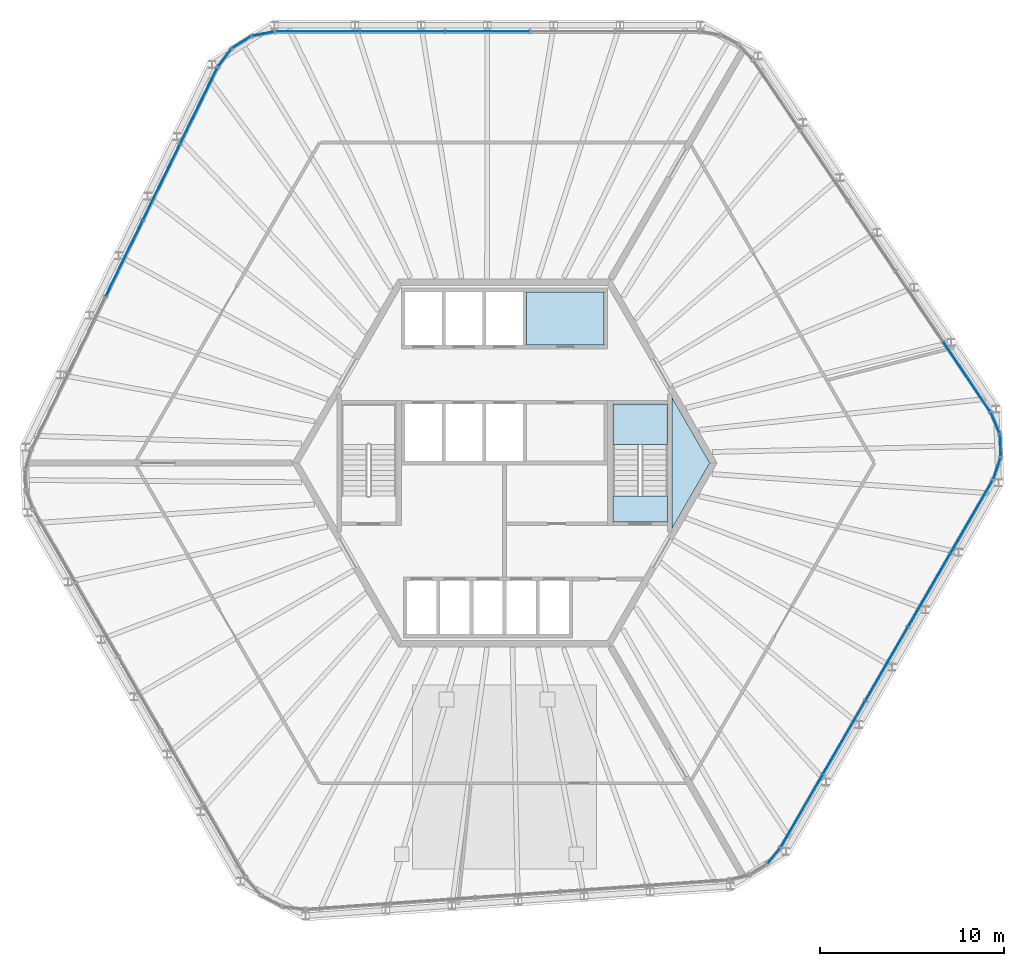
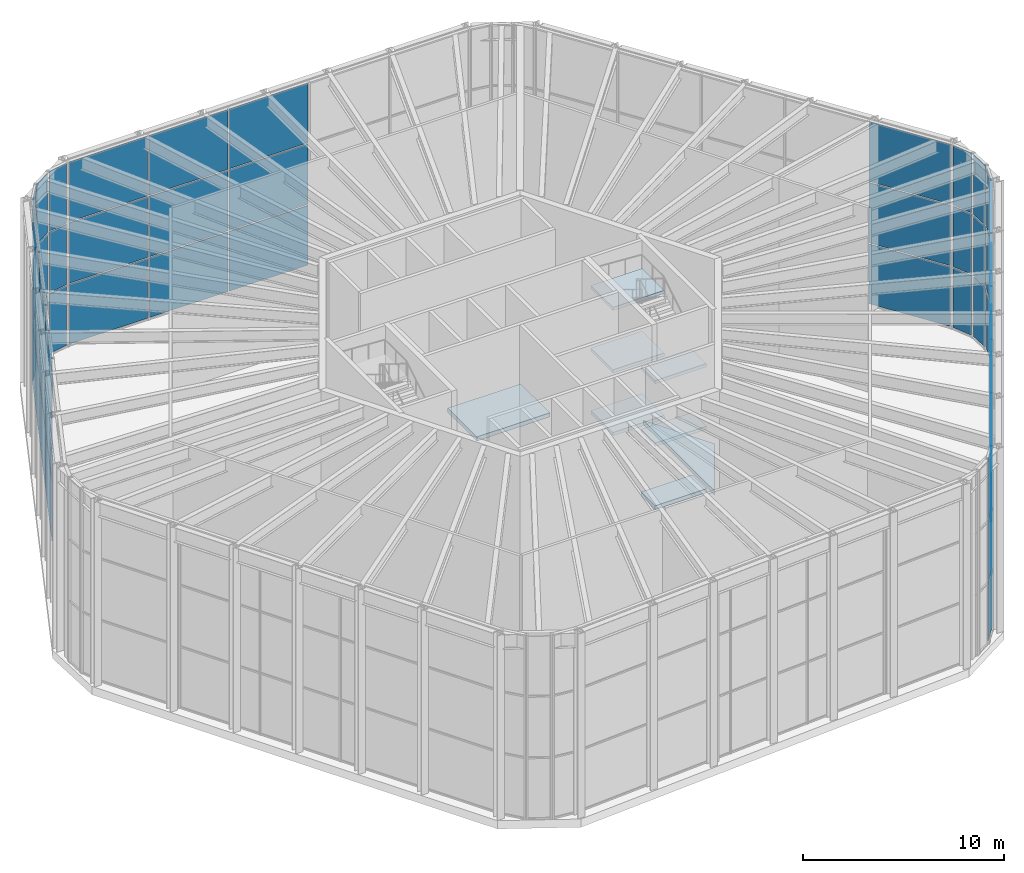
# One storey, part 12 of 17: 57 plates, 8 slabs, 12 elements without a shape of their own.
"""IFC4 building model written with IfcOpenShell, lengths in metres."""

from ifc_helpers import new_model, si_unit, direction, frame, origin, origin_2d, place, context, subcontext, project, spatial, polyline, rectangle, outline, extrude, material, layer, layer_set, type_object, element, aggregate, save


model = new_model("IFC4")

# Units and contexts
model_context = context("Model", 3, precision=1e-05, world=origin(), true_north=direction((0.0, 1.0)))
body_context = subcontext(model_context, "Body", "Model", "MODEL_VIEW")
ifc_project = project(units=[si_unit("LENGTHUNIT", "METRE"), si_unit("AREAUNIT", "SQUARE_METRE"), si_unit("VOLUMEUNIT", "CUBIC_METRE"), si_unit("PLANEANGLEUNIT", "RADIAN"), si_unit("MASSUNIT", "GRAM", prefix="KILO")], contexts=[model_context])

# Site, building, storey
site_placement = place(None, origin())
site = spatial("IfcSite", under=ifc_project, at=site_placement, CompositionType="ELEMENT")
building_placement = place(site_placement, origin())
building = spatial("IfcBuilding", under=site, at=building_placement, Name="Tarnside Tower", CompositionType="ELEMENT")
storey_placement = place(building_placement, frame((0.0, 0.0, 376.800048828125)))
storey = spatial("IfcBuildingStorey", under=building, at=storey_placement, Name="L91", CompositionType="ELEMENT", Elevation=376.800048828125)

# Slabs
ifc_material_1 = material(Name="Concrete C40/50", Category="concrete")
ifc_layer_1 = layer(ifc_material_1, 0.25)
ifc_layer_set_1 = layer_set([ifc_layer_1], Name="Core slab C40/50")
slab_type_1 = type_object("IfcSlabType", Name="Core slab C40/50", PredefinedType="FLOOR", material=ifc_layer_set_1)
slab_1_placement = place(storey_placement, frame((0.0, 0.0, -0.25)))
element("IfcSlab", 1, at=slab_1_placement, inside=storey, type_object=slab_type_1, Name="L91 core floor slab 4", PredefinedType="FLOOR", context=body_context, shape_type="SweptSolid", body=[
    extrude(outline(polyline([(9.10009765625, 3.538330078125), (11.142822265625, 0.0), (9.10009765625, -3.538330078125), (9.10009765625, 3.538330078125)])), origin(), (0.0, 0.0, 1.0), 0.25),
])
slab_2_placement = place(storey_placement, frame((0.0, 0.0, -0.25)))
element("IfcSlab", 2, at=slab_2_placement, inside=storey, type_object=slab_type_1, Name="L91 core floor slab 7", PredefinedType="FLOOR", context=body_context, shape_type="SweptSolid", body=[
    extrude(outline(polyline([(5.89990234375, -1.800048828125), (8.85009765625, -1.800048828125), (8.85009765625, -3.199951171875), (5.89990234375, -3.199951171875), (5.89990234375, -1.800048828125)])), origin(), (0.0, 0.0, 1.0), 0.25),
])
slab_3_placement = place(storey_placement, frame((0.0, 0.0, -0.25)))
element("IfcSlab", 3, at=slab_3_placement, inside=storey, type_object=slab_type_1, Name="L91 core floor slab 8", PredefinedType="FLOOR", context=body_context, shape_type="SweptSolid", body=[
    extrude(outline(polyline([(5.39990234375, 6.39990234375), (1.199951171875, 6.39990234375), (1.199951171875, 9.300048828125), (5.39990234375, 9.300048828125), (5.39990234375, 6.39990234375)])), origin(), (0.0, 0.0, 1.0), 0.25),
])

# Curtain wall, plates
ifc_material_2 = material(Name="Damper hall glazing wall", Category="glass")
curtain_wall_type = type_object("IfcCurtainWallType", Name="Damper hall glazing wall", PredefinedType="NOTDEFINED", material=ifc_material_2)
curtain_wall_1_placement = place(storey_placement, origin())
curtain_wall_1 = element("IfcCurtainWall", 4, at=curtain_wall_1_placement, inside=storey, type_object=curtain_wall_type, Name="Damper hall glazing L91 00", PredefinedType="NOTDEFINED")
ifc_material_3 = material(Name="Low-iron safety glass", Category="glass")
ifc_layer_2 = layer(ifc_material_3, 0.0400390625)
ifc_layer_set_2 = layer_set([ifc_layer_2], Name="Damper hall glazing panel 40")
plate_type = type_object("IfcPlateType", Name="Damper hall glazing panel 40", PredefinedType="CURTAIN_PANEL", material=ifc_layer_set_2)
plate_1_placement = place(storey_placement, frame((-10.137939453125, 23.429931640625, 0.080078125), z_axis=(0.0, 0.0, 1.0), x_axis=(1.0, 0.0, 0.0)))
plate_1 = element("IfcPlate", 5, at=plate_1_placement, type_object=plate_type, Name="CW5 panel 1.1", PredefinedType="CURTAIN_PANEL", context=body_context, shape_type="SweptSolid", body=[
    extrude(rectangle(XDim=4.494140625, YDim=0.0400390625, at=origin_2d()), origin(), (0.0, 0.0, 1.0), 3.61328125),
])
plate_2_placement = place(storey_placement, frame((-10.137939453125, 23.429931640625, 3.773193359375), z_axis=(0.0, 0.0, 1.0), x_axis=(1.0, 0.0, 0.0)))
plate_2 = element("IfcPlate", 6, at=plate_2_placement, type_object=plate_type, Name="CW5 panel 1.2", PredefinedType="CURTAIN_PANEL", context=body_context, shape_type="SweptSolid", body=[
    extrude(rectangle(XDim=4.494140625, YDim=0.0400390625, at=origin_2d()), origin(), (0.0, 0.0, 1.0), 3.6533203125),
])
plate_3_placement = place(storey_placement, frame((-10.137939453125, 23.429931640625, 7.506591796875), z_axis=(0.0, 0.0, 1.0), x_axis=(1.0, 0.0, 0.0)))
plate_3 = element("IfcPlate", 7, at=plate_3_placement, type_object=plate_type, Name="CW5 panel 1.3", PredefinedType="CURTAIN_PANEL", context=body_context, shape_type="SweptSolid", body=[
    extrude(rectangle(XDim=4.494140625, YDim=0.0400390625, at=origin_2d()), origin(), (0.0, 0.0, 1.0), 3.61328125),
])
plate_4_placement = place(storey_placement, frame((-5.543701171875, 23.429931640625, 0.080078125), z_axis=(0.0, 0.0, 1.0), x_axis=(1.0, 0.0, 0.0)))
plate_4 = element("IfcPlate", 8, at=plate_4_placement, type_object=plate_type, Name="CW5 panel 2.1", PredefinedType="CURTAIN_PANEL", context=body_context, shape_type="SweptSolid", body=[
    extrude(rectangle(XDim=4.5341796875, YDim=0.0400390625, at=origin_2d()), origin(), (0.0, 0.0, 1.0), 3.61328125),
])
plate_5_placement = place(storey_placement, frame((-5.543701171875, 23.429931640625, 3.773193359375), z_axis=(0.0, 0.0, 1.0), x_axis=(1.0, 0.0, 0.0)))
plate_5 = element("IfcPlate", 9, at=plate_5_placement, type_object=plate_type, Name="CW5 panel 2.2", PredefinedType="CURTAIN_PANEL", context=body_context, shape_type="SweptSolid", body=[
    extrude(rectangle(XDim=4.5341796875, YDim=0.0400390625, at=origin_2d()), origin(), (0.0, 0.0, 1.0), 3.6533203125),
])
plate_6_placement = place(storey_placement, frame((-5.543701171875, 23.429931640625, 7.506591796875), z_axis=(0.0, 0.0, 1.0), x_axis=(1.0, 0.0, 0.0)))
plate_6 = element("IfcPlate", 10, at=plate_6_placement, type_object=plate_type, Name="CW5 panel 2.3", PredefinedType="CURTAIN_PANEL", context=body_context, shape_type="SweptSolid", body=[
    extrude(rectangle(XDim=4.5341796875, YDim=0.0400390625, at=origin_2d()), origin(), (0.0, 0.0, 1.0), 3.61328125),
])
plate_7_placement = place(storey_placement, frame((-0.9296875, 23.429931640625, 0.080078125), z_axis=(0.0, 0.0, 1.0), x_axis=(1.0, 0.0, 0.0)))
plate_7 = element("IfcPlate", 11, at=plate_7_placement, type_object=plate_type, Name="CW5 panel 3.1", PredefinedType="CURTAIN_PANEL", context=body_context, shape_type="SweptSolid", body=[
    extrude(rectangle(XDim=4.5341796875, YDim=0.0400390625, at=origin_2d()), origin(), (0.0, 0.0, 1.0), 3.61328125),
])
plate_8_placement = place(storey_placement, frame((-0.9296875, 23.429931640625, 3.773193359375), z_axis=(0.0, 0.0, 1.0), x_axis=(1.0, 0.0, 0.0)))
plate_8 = element("IfcPlate", 12, at=plate_8_placement, type_object=plate_type, Name="CW5 panel 3.2", PredefinedType="CURTAIN_PANEL", context=body_context, shape_type="SweptSolid", body=[
    extrude(rectangle(XDim=4.5341796875, YDim=0.0400390625, at=origin_2d()), origin(), (0.0, 0.0, 1.0), 3.6533203125),
])
plate_9_placement = place(storey_placement, frame((-0.9296875, 23.429931640625, 7.506591796875), z_axis=(0.0, 0.0, 1.0), x_axis=(1.0, 0.0, 0.0)))
plate_9 = element("IfcPlate", 13, at=plate_9_placement, type_object=plate_type, Name="CW5 panel 3.3", PredefinedType="CURTAIN_PANEL", context=body_context, shape_type="SweptSolid", body=[
    extrude(rectangle(XDim=4.5341796875, YDim=0.0400390625, at=origin_2d()), origin(), (0.0, 0.0, 1.0), 3.61328125),
])
aggregate(curtain_wall_1, [plate_1, plate_2, plate_3, plate_4, plate_5, plate_6, plate_7, plate_8, plate_9])

curtain_wall_2_placement = place(storey_placement, origin())
curtain_wall_2 = element("IfcCurtainWall", 14, at=curtain_wall_2_placement, inside=storey, type_object=curtain_wall_type, Name="Damper hall glazing L91 04", PredefinedType="NOTDEFINED")
plate_10_placement = place(storey_placement, frame((25.093505859375, 4.697021484375, 0.080078125), z_axis=(0.0, 0.0, 1.0), x_axis=(0.559192903485, -0.829037572545, 0.0)))
plate_10 = element("IfcPlate", 15, at=plate_10_placement, type_object=plate_type, Name="CW5 panel 5.1", PredefinedType="CURTAIN_PANEL", context=body_context, shape_type="SweptSolid", body=[
    extrude(rectangle(XDim=4.494140625, YDim=0.0400390625, at=origin_2d()), origin(), (0.0, 0.0, 1.0), 3.61328125),
])
plate_11_placement = place(storey_placement, frame((25.093505859375, 4.697021484375, 3.773193359375), z_axis=(0.0, 0.0, 1.0), x_axis=(0.559192903485, -0.829037572545, 0.0)))
plate_11 = element("IfcPlate", 16, at=plate_11_placement, type_object=plate_type, Name="CW5 panel 5.2", PredefinedType="CURTAIN_PANEL", context=body_context, shape_type="SweptSolid", body=[
    extrude(rectangle(XDim=4.494140625, YDim=0.0400390625, at=origin_2d()), origin(), (0.0, 0.0, 1.0), 3.6533203125),
])
plate_12_placement = place(storey_placement, frame((25.093505859375, 4.697021484375, 7.506591796875), z_axis=(0.0, 0.0, 1.0), x_axis=(0.559192903485, -0.829037572545, 0.0)))
plate_12 = element("IfcPlate", 17, at=plate_12_placement, type_object=plate_type, Name="CW5 panel 5.3", PredefinedType="CURTAIN_PANEL", context=body_context, shape_type="SweptSolid", body=[
    extrude(rectangle(XDim=4.494140625, YDim=0.0400390625, at=origin_2d()), origin(), (0.0, 0.0, 1.0), 3.61328125),
])
aggregate(curtain_wall_2, [plate_10, plate_11, plate_12])

curtain_wall_3_placement = place(storey_placement, origin())
curtain_wall_3 = element("IfcCurtainWall", 18, at=curtain_wall_3_placement, inside=storey, type_object=curtain_wall_type, Name="Damper hall glazing L91 05", PredefinedType="NOTDEFINED")
plate_13_placement = place(storey_placement, frame((26.65234375, 2.1708984375, 0.080078125), z_axis=(0.0, 0.0, 1.0), x_axis=(0.396079765906, -0.918216106938, 0.0)))
plate_13 = element("IfcPlate", 19, at=plate_13_placement, type_object=plate_type, Name="CW5 panel 1.1", PredefinedType="CURTAIN_PANEL", context=body_context, shape_type="SweptSolid", body=[
    extrude(rectangle(XDim=1.140380859375, YDim=0.0400390625, at=origin_2d()), origin(), (0.0, 0.0, 1.0), 3.61328125),
])
plate_14_placement = place(storey_placement, frame((26.65234375, 2.1708984375, 3.773193359375), z_axis=(0.0, 0.0, 1.0), x_axis=(0.396079765906, -0.918216106938, 0.0)))
plate_14 = element("IfcPlate", 20, at=plate_14_placement, type_object=plate_type, Name="CW5 panel 1.2", PredefinedType="CURTAIN_PANEL", context=body_context, shape_type="SweptSolid", body=[
    extrude(rectangle(XDim=1.140380859375, YDim=0.0400390625, at=origin_2d()), origin(), (0.0, 0.0, 1.0), 3.6533203125),
])
plate_15_placement = place(storey_placement, frame((26.65234375, 2.1708984375, 7.506591796875), z_axis=(0.0, 0.0, 1.0), x_axis=(0.396079765906, -0.918216106938, 0.0)))
plate_15 = element("IfcPlate", 21, at=plate_15_placement, type_object=plate_type, Name="CW5 panel 1.3", PredefinedType="CURTAIN_PANEL", context=body_context, shape_type="SweptSolid", body=[
    extrude(rectangle(XDim=1.140380859375, YDim=0.0400390625, at=origin_2d()), origin(), (0.0, 0.0, 1.0), 3.61328125),
])
aggregate(curtain_wall_3, [plate_13, plate_14, plate_15])

curtain_wall_4_placement = place(storey_placement, origin())
curtain_wall_4 = element("IfcCurtainWall", 22, at=curtain_wall_4_placement, inside=storey, type_object=curtain_wall_type, Name="Damper hall glazing L91 06", PredefinedType="NOTDEFINED")
plate_16_placement = place(storey_placement, frame((26.931884765625, 0.9404296875, 0.080078125), z_axis=(0.0, 0.0, 1.0), x_axis=(0.034899496703, -0.999390827019, 0.0)))
plate_16 = element("IfcPlate", 23, at=plate_16_placement, type_object=plate_type, Name="CW5 panel 1.1", PredefinedType="CURTAIN_PANEL", context=body_context, shape_type="SweptSolid", body=[
    extrude(rectangle(XDim=1.107421875, YDim=0.0400390625, at=origin_2d()), origin(), (0.0, 0.0, 1.0), 3.61328125),
])
plate_17_placement = place(storey_placement, frame((26.931884765625, 0.9404296875, 3.773193359375), z_axis=(0.0, 0.0, 1.0), x_axis=(0.034899496703, -0.999390827019, 0.0)))
plate_17 = element("IfcPlate", 24, at=plate_17_placement, type_object=plate_type, Name="CW5 panel 1.2", PredefinedType="CURTAIN_PANEL", context=body_context, shape_type="SweptSolid", body=[
    extrude(rectangle(XDim=1.107421875, YDim=0.0400390625, at=origin_2d()), origin(), (0.0, 0.0, 1.0), 3.6533203125),
])
plate_18_placement = place(storey_placement, frame((26.931884765625, 0.9404296875, 7.506591796875), z_axis=(0.0, 0.0, 1.0), x_axis=(0.034899496703, -0.999390827019, 0.0)))
plate_18 = element("IfcPlate", 25, at=plate_18_placement, type_object=plate_type, Name="CW5 panel 1.3", PredefinedType="CURTAIN_PANEL", context=body_context, shape_type="SweptSolid", body=[
    extrude(rectangle(XDim=1.107421875, YDim=0.0400390625, at=origin_2d()), origin(), (0.0, 0.0, 1.0), 3.61328125),
])
aggregate(curtain_wall_4, [plate_16, plate_17, plate_18])

curtain_wall_5_placement = place(storey_placement, origin())
curtain_wall_5 = element("IfcCurtainWall", 26, at=curtain_wall_5_placement, inside=storey, type_object=curtain_wall_type, Name="Damper hall glazing L91 07", PredefinedType="NOTDEFINED")
plate_19_placement = place(storey_placement, frame((26.73876953125, -0.306396484375, 0.080078125), z_axis=(0.0, 0.0, 1.0), x_axis=(-0.331063417649, -0.943608506476, 0.0)))
plate_19 = element("IfcPlate", 27, at=plate_19_placement, type_object=plate_type, Name="CW5 panel 1.1", PredefinedType="CURTAIN_PANEL", context=body_context, shape_type="SweptSolid", body=[
    extrude(rectangle(XDim=1.140380859375, YDim=0.0400390625, at=origin_2d()), origin(), (0.0, 0.0, 1.0), 3.61328125),
])
plate_20_placement = place(storey_placement, frame((26.73876953125, -0.306396484375, 3.773193359375), z_axis=(0.0, 0.0, 1.0), x_axis=(-0.331063417649, -0.943608506476, 0.0)))
plate_20 = element("IfcPlate", 28, at=plate_20_placement, type_object=plate_type, Name="CW5 panel 1.2", PredefinedType="CURTAIN_PANEL", context=body_context, shape_type="SweptSolid", body=[
    extrude(rectangle(XDim=1.140380859375, YDim=0.0400390625, at=origin_2d()), origin(), (0.0, 0.0, 1.0), 3.6533203125),
])
plate_21_placement = place(storey_placement, frame((26.73876953125, -0.306396484375, 7.506591796875), z_axis=(0.0, 0.0, 1.0), x_axis=(-0.331063417649, -0.943608506476, 0.0)))
plate_21 = element("IfcPlate", 29, at=plate_21_placement, type_object=plate_type, Name="CW5 panel 1.3", PredefinedType="CURTAIN_PANEL", context=body_context, shape_type="SweptSolid", body=[
    extrude(rectangle(XDim=1.140380859375, YDim=0.0400390625, at=origin_2d()), origin(), (0.0, 0.0, 1.0), 3.61328125),
])
aggregate(curtain_wall_5, [plate_19, plate_20, plate_21])

curtain_wall_6_placement = place(storey_placement, origin())
curtain_wall_6 = element("IfcCurtainWall", 30, at=curtain_wall_6_placement, inside=storey, type_object=curtain_wall_type, Name="Damper hall glazing L91 08", PredefinedType="NOTDEFINED")
plate_22_placement = place(storey_placement, frame((25.360107421875, -2.935302734375, 0.080078125), z_axis=(0.0, 0.0, 1.0), x_axis=(-0.5, -0.866025403784, 0.0)))
plate_22 = element("IfcPlate", 31, at=plate_22_placement, type_object=plate_type, Name="CW5 panel 1.1", PredefinedType="CURTAIN_PANEL", context=body_context, shape_type="SweptSolid", body=[
    extrude(rectangle(XDim=4.494140625, YDim=0.0400390625, at=origin_2d()), origin(), (0.0, 0.0, 1.0), 3.61328125),
])
plate_23_placement = place(storey_placement, frame((25.360107421875, -2.935302734375, 3.773193359375), z_axis=(0.0, 0.0, 1.0), x_axis=(-0.5, -0.866025403784, 0.0)))
plate_23 = element("IfcPlate", 32, at=plate_23_placement, type_object=plate_type, Name="CW5 panel 1.2", PredefinedType="CURTAIN_PANEL", context=body_context, shape_type="SweptSolid", body=[
    extrude(rectangle(XDim=4.494140625, YDim=0.0400390625, at=origin_2d()), origin(), (0.0, 0.0, 1.0), 3.6533203125),
])
plate_24_placement = place(storey_placement, frame((25.360107421875, -2.935302734375, 7.506591796875), z_axis=(0.0, 0.0, 1.0), x_axis=(-0.5, -0.866025403784, 0.0)))
plate_24 = element("IfcPlate", 33, at=plate_24_placement, type_object=plate_type, Name="CW5 panel 1.3", PredefinedType="CURTAIN_PANEL", context=body_context, shape_type="SweptSolid", body=[
    extrude(rectangle(XDim=4.494140625, YDim=0.0400390625, at=origin_2d()), origin(), (0.0, 0.0, 1.0), 3.61328125),
])
plate_25_placement = place(storey_placement, frame((23.06298828125, -6.913818359375, 0.080078125), z_axis=(0.0, 0.0, 1.0), x_axis=(-0.5, -0.866025403784, 0.0)))
plate_25 = element("IfcPlate", 34, at=plate_25_placement, type_object=plate_type, Name="CW5 panel 2.1", PredefinedType="CURTAIN_PANEL", context=body_context, shape_type="SweptSolid", body=[
    extrude(rectangle(XDim=4.5341796875, YDim=0.0400390625, at=origin_2d()), origin(), (0.0, 0.0, 1.0), 3.61328125),
])
plate_26_placement = place(storey_placement, frame((23.06298828125, -6.913818359375, 3.773193359375), z_axis=(0.0, 0.0, 1.0), x_axis=(-0.5, -0.866025403784, 0.0)))
plate_26 = element("IfcPlate", 35, at=plate_26_placement, type_object=plate_type, Name="CW5 panel 2.2", PredefinedType="CURTAIN_PANEL", context=body_context, shape_type="SweptSolid", body=[
    extrude(rectangle(XDim=4.5341796875, YDim=0.0400390625, at=origin_2d()), origin(), (0.0, 0.0, 1.0), 3.6533203125),
])
plate_27_placement = place(storey_placement, frame((23.06298828125, -6.913818359375, 7.506591796875), z_axis=(0.0, 0.0, 1.0), x_axis=(-0.5, -0.866025403784, 0.0)))
plate_27 = element("IfcPlate", 36, at=plate_27_placement, type_object=plate_type, Name="CW5 panel 2.3", PredefinedType="CURTAIN_PANEL", context=body_context, shape_type="SweptSolid", body=[
    extrude(rectangle(XDim=4.5341796875, YDim=0.0400390625, at=origin_2d()), origin(), (0.0, 0.0, 1.0), 3.61328125),
])
plate_28_placement = place(storey_placement, frame((20.755859375, -10.909912109375, 0.080078125), z_axis=(0.0, 0.0, 1.0), x_axis=(-0.5, -0.866025403784, 0.0)))
plate_28 = element("IfcPlate", 37, at=plate_28_placement, type_object=plate_type, Name="CW5 panel 3.1", PredefinedType="CURTAIN_PANEL", context=body_context, shape_type="SweptSolid", body=[
    extrude(rectangle(XDim=4.5341796875, YDim=0.0400390625, at=origin_2d()), origin(), (0.0, 0.0, 1.0), 3.61328125),
])
plate_29_placement = place(storey_placement, frame((20.755859375, -10.909912109375, 3.773193359375), z_axis=(0.0, 0.0, 1.0), x_axis=(-0.5, -0.866025403784, 0.0)))
plate_29 = element("IfcPlate", 38, at=plate_29_placement, type_object=plate_type, Name="CW5 panel 3.2", PredefinedType="CURTAIN_PANEL", context=body_context, shape_type="SweptSolid", body=[
    extrude(rectangle(XDim=4.5341796875, YDim=0.0400390625, at=origin_2d()), origin(), (0.0, 0.0, 1.0), 3.6533203125),
])
plate_30_placement = place(storey_placement, frame((20.755859375, -10.909912109375, 7.506591796875), z_axis=(0.0, 0.0, 1.0), x_axis=(-0.5, -0.866025403784, 0.0)))
plate_30 = element("IfcPlate", 39, at=plate_30_placement, type_object=plate_type, Name="CW5 panel 3.3", PredefinedType="CURTAIN_PANEL", context=body_context, shape_type="SweptSolid", body=[
    extrude(rectangle(XDim=4.5341796875, YDim=0.0400390625, at=origin_2d()), origin(), (0.0, 0.0, 1.0), 3.61328125),
])
plate_31_placement = place(storey_placement, frame((18.44873046875, -14.906005859375, 0.080078125), z_axis=(0.0, 0.0, 1.0), x_axis=(-0.5, -0.866025403784, 0.0)))
plate_31 = element("IfcPlate", 40, at=plate_31_placement, type_object=plate_type, Name="CW5 panel 4.1", PredefinedType="CURTAIN_PANEL", context=body_context, shape_type="SweptSolid", body=[
    extrude(rectangle(XDim=4.5341796875, YDim=0.0400390625, at=origin_2d()), origin(), (0.0, 0.0, 1.0), 3.61328125),
])
plate_32_placement = place(storey_placement, frame((18.44873046875, -14.906005859375, 3.773193359375), z_axis=(0.0, 0.0, 1.0), x_axis=(-0.5, -0.866025403784, 0.0)))
plate_32 = element("IfcPlate", 41, at=plate_32_placement, type_object=plate_type, Name="CW5 panel 4.2", PredefinedType="CURTAIN_PANEL", context=body_context, shape_type="SweptSolid", body=[
    extrude(rectangle(XDim=4.5341796875, YDim=0.0400390625, at=origin_2d()), origin(), (0.0, 0.0, 1.0), 3.6533203125),
])
plate_33_placement = place(storey_placement, frame((18.44873046875, -14.906005859375, 7.506591796875), z_axis=(0.0, 0.0, 1.0), x_axis=(-0.5, -0.866025403784, 0.0)))
plate_33 = element("IfcPlate", 42, at=plate_33_placement, type_object=plate_type, Name="CW5 panel 4.3", PredefinedType="CURTAIN_PANEL", context=body_context, shape_type="SweptSolid", body=[
    extrude(rectangle(XDim=4.5341796875, YDim=0.0400390625, at=origin_2d()), origin(), (0.0, 0.0, 1.0), 3.61328125),
])
plate_34_placement = place(storey_placement, frame((16.151611328125, -18.884765625, 0.080078125), z_axis=(0.0, 0.0, 1.0), x_axis=(-0.5, -0.866025403784, 0.0)))
plate_34 = element("IfcPlate", 43, at=plate_34_placement, type_object=plate_type, Name="CW5 panel 5.1", PredefinedType="CURTAIN_PANEL", context=body_context, shape_type="SweptSolid", body=[
    extrude(rectangle(XDim=4.494140625, YDim=0.0400390625, at=origin_2d()), origin(), (0.0, 0.0, 1.0), 3.61328125),
])
plate_35_placement = place(storey_placement, frame((16.151611328125, -18.884765625, 3.773193359375), z_axis=(0.0, 0.0, 1.0), x_axis=(-0.5, -0.866025403784, 0.0)))
plate_35 = element("IfcPlate", 44, at=plate_35_placement, type_object=plate_type, Name="CW5 panel 5.2", PredefinedType="CURTAIN_PANEL", context=body_context, shape_type="SweptSolid", body=[
    extrude(rectangle(XDim=4.494140625, YDim=0.0400390625, at=origin_2d()), origin(), (0.0, 0.0, 1.0), 3.6533203125),
])
plate_36_placement = place(storey_placement, frame((16.151611328125, -18.884765625, 7.506591796875), z_axis=(0.0, 0.0, 1.0), x_axis=(-0.5, -0.866025403784, 0.0)))
plate_36 = element("IfcPlate", 45, at=plate_36_placement, type_object=plate_type, Name="CW5 panel 5.3", PredefinedType="CURTAIN_PANEL", context=body_context, shape_type="SweptSolid", body=[
    extrude(rectangle(XDim=4.494140625, YDim=0.0400390625, at=origin_2d()), origin(), (0.0, 0.0, 1.0), 3.61328125),
])
aggregate(curtain_wall_6, [plate_22, plate_23, plate_24, plate_25, plate_26, plate_27, plate_28, plate_29, plate_30, plate_31, plate_32, plate_33, plate_34, plate_35, plate_36])

curtain_wall_7_placement = place(storey_placement, origin())
curtain_wall_7 = element("IfcCurtainWall", 46, at=curtain_wall_7_placement, inside=storey, type_object=curtain_wall_type, Name="Damper hall glazing L91 09", PredefinedType="NOTDEFINED")
plate_37_placement = place(storey_placement, frame((14.626708984375, -21.3408203125, 0.080078125), z_axis=(0.0, 0.0, 1.0), x_axis=(-0.633830967381, -0.773471592749, 0.0)))
plate_37 = element("IfcPlate", 47, at=plate_37_placement, type_object=plate_type, Name="CW5 panel 1.1", PredefinedType="CURTAIN_PANEL", context=body_context, shape_type="SweptSolid", body=[
    extrude(rectangle(XDim=0.9794921875, YDim=0.0400390625, at=origin_2d()), origin(), (0.0, 0.0, 1.0), 3.61328125),
])
plate_38_placement = place(storey_placement, frame((14.626708984375, -21.3408203125, 3.773193359375), z_axis=(0.0, 0.0, 1.0), x_axis=(-0.633830967381, -0.773471592749, 0.0)))
plate_38 = element("IfcPlate", 48, at=plate_38_placement, type_object=plate_type, Name="CW5 panel 1.2", PredefinedType="CURTAIN_PANEL", context=body_context, shape_type="SweptSolid", body=[
    extrude(rectangle(XDim=0.9794921875, YDim=0.0400390625, at=origin_2d()), origin(), (0.0, 0.0, 1.0), 3.6533203125),
])
plate_39_placement = place(storey_placement, frame((14.626708984375, -21.3408203125, 7.506591796875), z_axis=(0.0, 0.0, 1.0), x_axis=(-0.633830967381, -0.773471592749, 0.0)))
plate_39 = element("IfcPlate", 49, at=plate_39_placement, type_object=plate_type, Name="CW5 panel 1.3", PredefinedType="CURTAIN_PANEL", context=body_context, shape_type="SweptSolid", body=[
    extrude(rectangle(XDim=0.9794921875, YDim=0.0400390625, at=origin_2d()), origin(), (0.0, 0.0, 1.0), 3.61328125),
])
aggregate(curtain_wall_7, [plate_37, plate_38, plate_39])

curtain_wall_8_placement = place(storey_placement, origin())
curtain_wall_8 = element("IfcCurtainWall", 50, at=curtain_wall_8_placement, inside=storey, type_object=curtain_wall_type, Name="Damper hall glazing L91 20", PredefinedType="NOTDEFINED")
plate_40_placement = place(storey_placement, frame((-20.651123046875, 11.1064453125, 0.080078125), z_axis=(0.0, 0.0, 1.0), x_axis=(0.438371146789, 0.898794046299, 0.0)))
plate_40 = element("IfcPlate", 51, at=plate_40_placement, type_object=plate_type, Name="CW5 panel 3.1", PredefinedType="CURTAIN_PANEL", context=body_context, shape_type="SweptSolid", body=[
    extrude(rectangle(XDim=4.5341796875, YDim=0.0400390625, at=origin_2d()), origin(), (0.0, 0.0, 1.0), 3.61328125),
])
plate_41_placement = place(storey_placement, frame((-20.651123046875, 11.1064453125, 3.773193359375), z_axis=(0.0, 0.0, 1.0), x_axis=(0.438371146789, 0.898794046299, 0.0)))
plate_41 = element("IfcPlate", 52, at=plate_41_placement, type_object=plate_type, Name="CW5 panel 3.2", PredefinedType="CURTAIN_PANEL", context=body_context, shape_type="SweptSolid", body=[
    extrude(rectangle(XDim=4.5341796875, YDim=0.0400390625, at=origin_2d()), origin(), (0.0, 0.0, 1.0), 3.6533203125),
])
plate_42_placement = place(storey_placement, frame((-20.651123046875, 11.1064453125, 7.506591796875), z_axis=(0.0, 0.0, 1.0), x_axis=(0.438371146789, 0.898794046299, 0.0)))
plate_42 = element("IfcPlate", 53, at=plate_42_placement, type_object=plate_type, Name="CW5 panel 3.3", PredefinedType="CURTAIN_PANEL", context=body_context, shape_type="SweptSolid", body=[
    extrude(rectangle(XDim=4.5341796875, YDim=0.0400390625, at=origin_2d()), origin(), (0.0, 0.0, 1.0), 3.61328125),
])
plate_43_placement = place(storey_placement, frame((-18.62841796875, 15.25390625, 0.080078125), z_axis=(0.0, 0.0, 1.0), x_axis=(0.438371146789, 0.898794046299, 0.0)))
plate_43 = element("IfcPlate", 54, at=plate_43_placement, type_object=plate_type, Name="CW5 panel 4.1", PredefinedType="CURTAIN_PANEL", context=body_context, shape_type="SweptSolid", body=[
    extrude(rectangle(XDim=4.5341796875, YDim=0.0400390625, at=origin_2d()), origin(), (0.0, 0.0, 1.0), 3.61328125),
])
plate_44_placement = place(storey_placement, frame((-18.62841796875, 15.25390625, 3.773193359375), z_axis=(0.0, 0.0, 1.0), x_axis=(0.438371146789, 0.898794046299, 0.0)))
plate_44 = element("IfcPlate", 55, at=plate_44_placement, type_object=plate_type, Name="CW5 panel 4.2", PredefinedType="CURTAIN_PANEL", context=body_context, shape_type="SweptSolid", body=[
    extrude(rectangle(XDim=4.5341796875, YDim=0.0400390625, at=origin_2d()), origin(), (0.0, 0.0, 1.0), 3.6533203125),
])
plate_45_placement = place(storey_placement, frame((-18.62841796875, 15.25390625, 7.506591796875), z_axis=(0.0, 0.0, 1.0), x_axis=(0.438371146789, 0.898794046299, 0.0)))
plate_45 = element("IfcPlate", 56, at=plate_45_placement, type_object=plate_type, Name="CW5 panel 4.3", PredefinedType="CURTAIN_PANEL", context=body_context, shape_type="SweptSolid", body=[
    extrude(rectangle(XDim=4.5341796875, YDim=0.0400390625, at=origin_2d()), origin(), (0.0, 0.0, 1.0), 3.61328125),
])
plate_46_placement = place(storey_placement, frame((-16.614501953125, 19.383056640625, 0.080078125), z_axis=(0.0, 0.0, 1.0), x_axis=(0.438371146789, 0.898794046299, 0.0)))
plate_46 = element("IfcPlate", 57, at=plate_46_placement, type_object=plate_type, Name="CW5 panel 5.1", PredefinedType="CURTAIN_PANEL", context=body_context, shape_type="SweptSolid", body=[
    extrude(rectangle(XDim=4.494140625, YDim=0.0400390625, at=origin_2d()), origin(), (0.0, 0.0, 1.0), 3.61328125),
])
plate_47_placement = place(storey_placement, frame((-16.614501953125, 19.383056640625, 3.773193359375), z_axis=(0.0, 0.0, 1.0), x_axis=(0.438371146789, 0.898794046299, 0.0)))
plate_47 = element("IfcPlate", 58, at=plate_47_placement, type_object=plate_type, Name="CW5 panel 5.2", PredefinedType="CURTAIN_PANEL", context=body_context, shape_type="SweptSolid", body=[
    extrude(rectangle(XDim=4.494140625, YDim=0.0400390625, at=origin_2d()), origin(), (0.0, 0.0, 1.0), 3.6533203125),
])
plate_48_placement = place(storey_placement, frame((-16.614501953125, 19.383056640625, 7.506591796875), z_axis=(0.0, 0.0, 1.0), x_axis=(0.438371146789, 0.898794046299, 0.0)))
plate_48 = element("IfcPlate", 59, at=plate_48_placement, type_object=plate_type, Name="CW5 panel 5.3", PredefinedType="CURTAIN_PANEL", context=body_context, shape_type="SweptSolid", body=[
    extrude(rectangle(XDim=4.494140625, YDim=0.0400390625, at=origin_2d()), origin(), (0.0, 0.0, 1.0), 3.61328125),
])
aggregate(curtain_wall_8, [plate_40, plate_41, plate_42, plate_43, plate_44, plate_45, plate_46, plate_47, plate_48])

curtain_wall_9_placement = place(storey_placement, origin())
curtain_wall_9 = element("IfcCurtainWall", 60, at=curtain_wall_9_placement, inside=storey, type_object=curtain_wall_type, Name="Damper hall glazing L91 21", PredefinedType="NOTDEFINED")
plate_49_placement = place(storey_placement, frame((-15.2060546875, 21.99609375, 0.080078125), z_axis=(0.0, 0.0, 1.0), x_axis=(0.597158591749, 0.80212319272, 0.0)))
plate_49 = element("IfcPlate", 61, at=plate_49_placement, type_object=plate_type, Name="CW5 panel 1.1", PredefinedType="CURTAIN_PANEL", context=body_context, shape_type="SweptSolid", body=[
    extrude(rectangle(XDim=1.140380859375, YDim=0.0400390625, at=origin_2d()), origin(), (0.0, 0.0, 1.0), 3.61328125),
])
plate_50_placement = place(storey_placement, frame((-15.2060546875, 21.99609375, 3.773193359375), z_axis=(0.0, 0.0, 1.0), x_axis=(0.597158591749, 0.80212319272, 0.0)))
plate_50 = element("IfcPlate", 62, at=plate_50_placement, type_object=plate_type, Name="CW5 panel 1.2", PredefinedType="CURTAIN_PANEL", context=body_context, shape_type="SweptSolid", body=[
    extrude(rectangle(XDim=1.140380859375, YDim=0.0400390625, at=origin_2d()), origin(), (0.0, 0.0, 1.0), 3.6533203125),
])
plate_51_placement = place(storey_placement, frame((-15.2060546875, 21.99609375, 7.506591796875), z_axis=(0.0, 0.0, 1.0), x_axis=(0.597158591749, 0.80212319272, 0.0)))
plate_51 = element("IfcPlate", 63, at=plate_51_placement, type_object=plate_type, Name="CW5 panel 1.3", PredefinedType="CURTAIN_PANEL", context=body_context, shape_type="SweptSolid", body=[
    extrude(rectangle(XDim=1.140380859375, YDim=0.0400390625, at=origin_2d()), origin(), (0.0, 0.0, 1.0), 3.61328125),
])
aggregate(curtain_wall_9, [plate_49, plate_50, plate_51])

curtain_wall_10_placement = place(storey_placement, origin())
curtain_wall_10 = element("IfcCurtainWall", 64, at=curtain_wall_10_placement, inside=storey, type_object=curtain_wall_type, Name="Damper hall glazing L91 22", PredefinedType="NOTDEFINED")
plate_52_placement = place(storey_placement, frame((-14.280517578125, 22.853515625, 0.080078125), z_axis=(0.0, 0.0, 1.0), x_axis=(0.84804809611, 0.529919264307, 0.0)))
plate_52 = element("IfcPlate", 65, at=plate_52_placement, type_object=plate_type, Name="CW5 panel 1.1", PredefinedType="CURTAIN_PANEL", context=body_context, shape_type="SweptSolid", body=[
    extrude(rectangle(XDim=1.107421875, YDim=0.0400390625, at=origin_2d()), origin(), (0.0, 0.0, 1.0), 3.61328125),
])
plate_53_placement = place(storey_placement, frame((-14.280517578125, 22.853515625, 3.773193359375), z_axis=(0.0, 0.0, 1.0), x_axis=(0.84804809611, 0.529919264307, 0.0)))
plate_53 = element("IfcPlate", 66, at=plate_53_placement, type_object=plate_type, Name="CW5 panel 1.2", PredefinedType="CURTAIN_PANEL", context=body_context, shape_type="SweptSolid", body=[
    extrude(rectangle(XDim=1.107421875, YDim=0.0400390625, at=origin_2d()), origin(), (0.0, 0.0, 1.0), 3.6533203125),
])
plate_54_placement = place(storey_placement, frame((-14.280517578125, 22.853515625, 7.506591796875), z_axis=(0.0, 0.0, 1.0), x_axis=(0.84804809611, 0.529919264307, 0.0)))
plate_54 = element("IfcPlate", 67, at=plate_54_placement, type_object=plate_type, Name="CW5 panel 1.3", PredefinedType="CURTAIN_PANEL", context=body_context, shape_type="SweptSolid", body=[
    extrude(rectangle(XDim=1.107421875, YDim=0.0400390625, at=origin_2d()), origin(), (0.0, 0.0, 1.0), 3.61328125),
])
aggregate(curtain_wall_10, [plate_52, plate_53, plate_54])

curtain_wall_11_placement = place(storey_placement, origin())
curtain_wall_11 = element("IfcCurtainWall", 68, at=curtain_wall_11_placement, inside=storey, type_object=curtain_wall_type, Name="Damper hall glazing L91 23", PredefinedType="NOTDEFINED")
plate_55_placement = place(storey_placement, frame((-13.10400390625, 23.3095703125, 0.080078125), z_axis=(0.0, 0.0, 1.0), x_axis=(0.982720646692, 0.185094923119, 0.0)))
plate_55 = element("IfcPlate", 69, at=plate_55_placement, type_object=plate_type, Name="CW5 panel 1.1", PredefinedType="CURTAIN_PANEL", context=body_context, shape_type="SweptSolid", body=[
    extrude(rectangle(XDim=1.140380859375, YDim=0.0400390625, at=origin_2d()), origin(), (0.0, 0.0, 1.0), 3.61328125),
])
plate_56_placement = place(storey_placement, frame((-13.10400390625, 23.3095703125, 3.773193359375), z_axis=(0.0, 0.0, 1.0), x_axis=(0.982720646692, 0.185094923119, 0.0)))
plate_56 = element("IfcPlate", 70, at=plate_56_placement, type_object=plate_type, Name="CW5 panel 1.2", PredefinedType="CURTAIN_PANEL", context=body_context, shape_type="SweptSolid", body=[
    extrude(rectangle(XDim=1.140380859375, YDim=0.0400390625, at=origin_2d()), origin(), (0.0, 0.0, 1.0), 3.6533203125),
])
plate_57_placement = place(storey_placement, frame((-13.10400390625, 23.3095703125, 7.506591796875), z_axis=(0.0, 0.0, 1.0), x_axis=(0.982720646692, 0.185094923119, 0.0)))
plate_57 = element("IfcPlate", 71, at=plate_57_placement, type_object=plate_type, Name="CW5 panel 1.3", PredefinedType="CURTAIN_PANEL", context=body_context, shape_type="SweptSolid", body=[
    extrude(rectangle(XDim=1.140380859375, YDim=0.0400390625, at=origin_2d()), origin(), (0.0, 0.0, 1.0), 3.61328125),
])
aggregate(curtain_wall_11, [plate_55, plate_56, plate_57])

# Stair, slabs
stair_type = type_object("IfcStairType", Name="Exit stair 1400 clear", PredefinedType="HALF_TURN_STAIR", material=ifc_material_1)
stair_placement = place(storey_placement, origin())
stair = element("IfcStair", 72, at=stair_placement, inside=storey, type_object=stair_type, Name="L91 Exit stair 1", PredefinedType="HALF_TURN_STAIR")
ifc_layer_3 = layer(ifc_material_1, 0.199951171875)
ifc_layer_set_3 = layer_set([ifc_layer_3], Name="Stair landing 200 C40/50")
slab_type_2 = type_object("IfcSlabType", Name="Stair landing 200 C40/50", PredefinedType="LANDING", material=ifc_layer_set_3)
slab_4_placement = place(storey_placement, frame((0.0, 0.0, 1.699951171875)))
slab_4 = element("IfcSlab", 73, at=slab_4_placement, type_object=slab_type_2, Name="ST1 landing 1", PredefinedType="LANDING", context=body_context, shape_type="SweptSolid", body=[
    extrude(outline(polyline([(8.85009765625, 1.0), (8.85009765625, 3.199951171875), (5.89990234375, 3.199951171875), (5.89990234375, 1.0), (8.85009765625, 1.0)])), origin(), (0.0, 0.0, 1.0), 0.199951171875),
])
slab_5_placement = place(storey_placement, frame((0.0, 0.0, 3.599853515625)))
slab_5 = element("IfcSlab", 74, at=slab_5_placement, type_object=slab_type_2, Name="ST1 landing 2", PredefinedType="LANDING", context=body_context, shape_type="SweptSolid", body=[
    extrude(outline(polyline([(8.85009765625, -3.199951171875), (8.85009765625, -1.800048828125), (5.89990234375, -1.800048828125), (5.89990234375, -3.199951171875), (8.85009765625, -3.199951171875)])), origin(), (0.0, 0.0, 1.0), 0.2001953125),
])
slab_6_placement = place(storey_placement, frame((0.0, 0.0, 5.5)))
slab_6 = element("IfcSlab", 75, at=slab_6_placement, type_object=slab_type_2, Name="ST1 landing 3", PredefinedType="LANDING", context=body_context, shape_type="SweptSolid", body=[
    extrude(outline(polyline([(8.85009765625, 1.0), (8.85009765625, 3.199951171875), (5.89990234375, 3.199951171875), (5.89990234375, 1.0), (8.85009765625, 1.0)])), origin(), (0.0, 0.0, 1.0), 0.199951171875),
])
slab_7_placement = place(storey_placement, frame((0.0, 0.0, 7.39990234375)))
slab_7 = element("IfcSlab", 76, at=slab_7_placement, type_object=slab_type_2, Name="ST1 landing 4", PredefinedType="LANDING", context=body_context, shape_type="SweptSolid", body=[
    extrude(outline(polyline([(8.85009765625, -3.199951171875), (8.85009765625, -1.800048828125), (5.89990234375, -1.800048828125), (5.89990234375, -3.199951171875), (8.85009765625, -3.199951171875)])), origin(), (0.0, 0.0, 1.0), 0.199951171875),
])
slab_8_placement = place(storey_placement, frame((0.0, 0.0, 9.300048828125)))
slab_8 = element("IfcSlab", 77, at=slab_8_placement, type_object=slab_type_2, Name="ST1 landing 5", PredefinedType="LANDING", context=body_context, shape_type="SweptSolid", body=[
    extrude(outline(polyline([(8.85009765625, 1.0), (8.85009765625, 3.199951171875), (5.89990234375, 3.199951171875), (5.89990234375, 1.0), (8.85009765625, 1.0)])), origin(), (0.0, 0.0, 1.0), 0.199951171875),
])
aggregate(stair, [slab_4, slab_5, slab_6, slab_7, slab_8])

save(model, "model.ifc")
